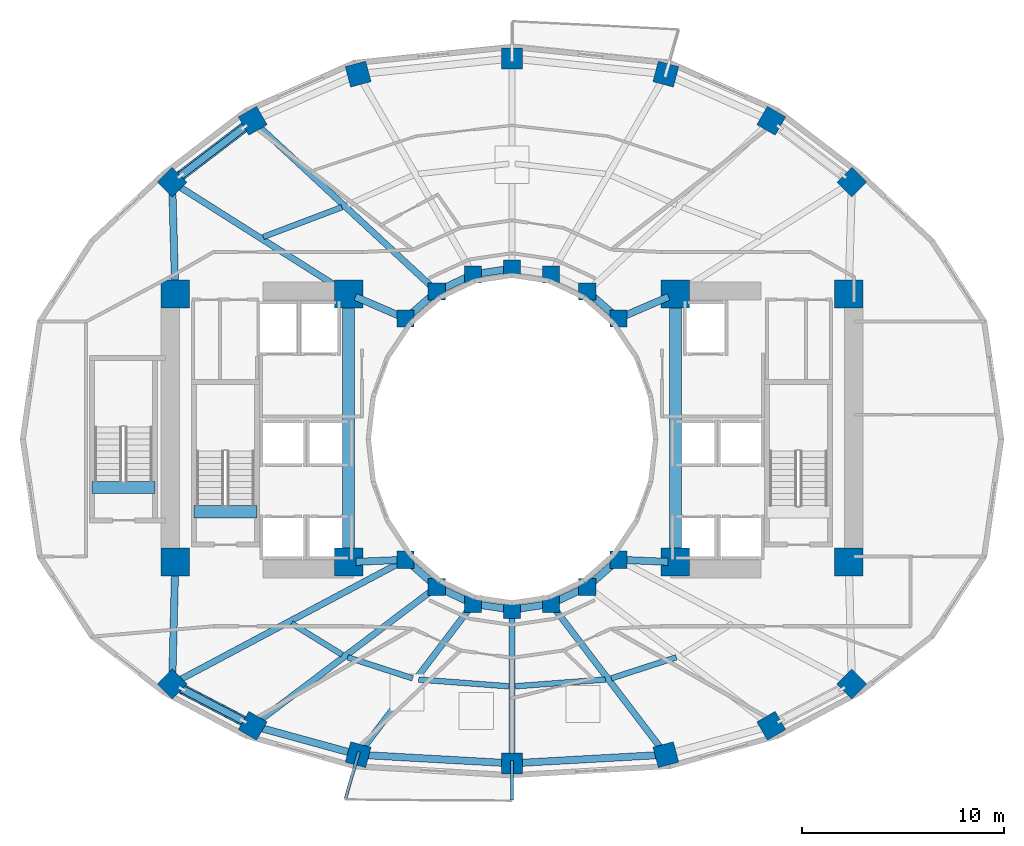
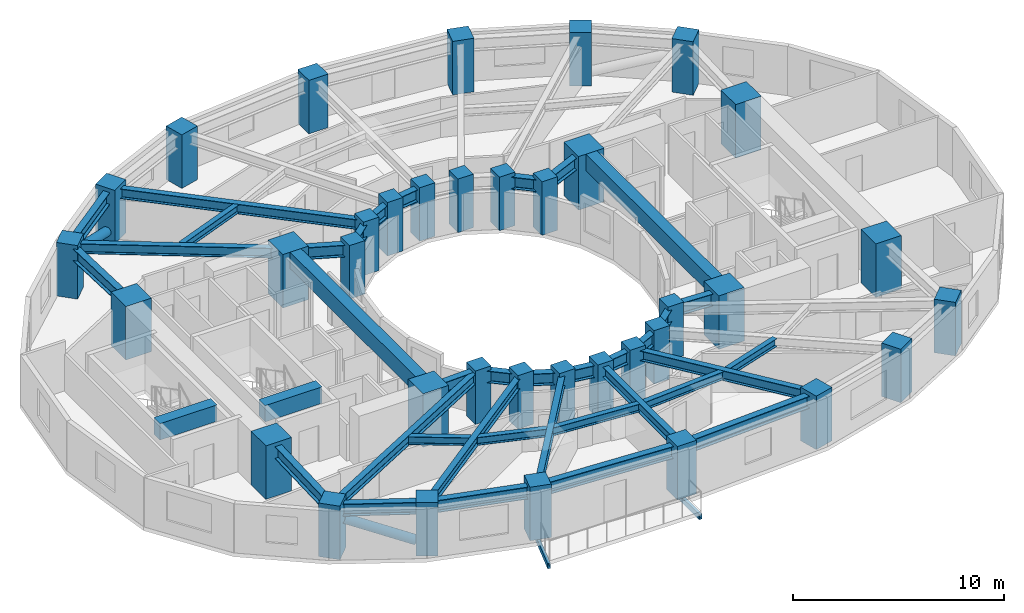
# One storey, part 1 of 9: 40 beams, 36 columns, 2 members.
"""IFC4 building model written with IfcOpenShell, lengths in metres."""

from ifc_helpers import new_model, si_unit, direction, frame, origin, origin_2d, place, context, subcontext, project, spatial, rectangle, hollow_rectangle, hollow_circle, i_section, extrude, material, material_profile, profile_set, type_object, element, save


model = new_model("IFC4")

# Units and contexts
model_context = context("Model", 3, precision=1e-05, world=origin(), true_north=direction((0.0, 1.0)))
body_context = subcontext(model_context, "Body", "Model", "MODEL_VIEW")
ifc_project = project(units=[si_unit("LENGTHUNIT", "METRE"), si_unit("AREAUNIT", "SQUARE_METRE"), si_unit("VOLUMEUNIT", "CUBIC_METRE"), si_unit("PLANEANGLEUNIT", "RADIAN"), si_unit("MASSUNIT", "GRAM", prefix="KILO")], contexts=[model_context])

# Site, building, storey
site_placement = place(None, origin())
site = spatial("IfcSite", under=ifc_project, at=site_placement, CompositionType="ELEMENT")
building_placement = place(site_placement, origin())
building = spatial("IfcBuilding", under=site, at=building_placement, Name="Solvane Sanctuary Tower", CompositionType="ELEMENT")
storey_placement = place(building_placement, frame((0.0, 0.0, 79.39990234375)))
storey = spatial("IfcBuildingStorey", under=building, at=storey_placement, Name="L23", CompositionType="ELEMENT", Elevation=79.39990234375)

# Columns
ifc_material_1 = material(Name="Concrete C70/85", Category="concrete")
ifc_material_profile_1 = material_profile(ifc_material_1, rectangle(XDim=1.39990234375, YDim=1.39990234375, at=origin_2d()), Name="RC1400X1400")
ifc_profile_set_1 = profile_set([ifc_material_profile_1], Name="Concrete C70/85")
column_type_1 = type_object("IfcColumnType", Name="Column C-POD-INT RC1400X1400", PredefinedType="COLUMN", material=ifc_profile_set_1)
for number, where, z_axis, x_axis, name in (
    (1, (15.300048828125, 16.89990234375, 0.0), (0.0, 0.0, 1.0), (1.0, 0.0, 0.0), "L23 Core Corner Column CW1"),
    (2, (23.89990234375, 16.89990234375, 0.0), (0.0, 0.0, 1.0), (1.0, 0.0, 0.0), "L23 Core Corner Column CW2"),
    (3, (23.89990234375, 30.199951171875, 0.0), (0.0, 0.0, 1.0), (1.0, 0.0, 0.0), "L23 Core Corner Column CW3"),
    (4, (15.300048828125, 30.199951171875, 0.0), (0.0, 0.0, 1.0), (1.0, 0.0, 0.0), "L23 Core Corner Column CW4"),
    (5, (40.10009765625, 16.89990234375, 0.0), (0.0, 0.0, 1.0), (1.0, 0.0, 0.0), "L23 Core Corner Column CE1"),
    (6, (48.699951171875, 16.89990234375, 0.0), (0.0, 0.0, 1.0), (1.0, 0.0, 0.0), "L23 Core Corner Column CE2"),
    (7, (48.699951171875, 30.199951171875, 0.0), (0.0, 0.0, 1.0), (1.0, 0.0, 0.0), "L23 Core Corner Column CE3"),
    (8, (40.10009765625, 30.199951171875, 0.0), (0.0, 0.0, 1.0), (1.0, 0.0, 0.0), "L23 Core Corner Column CE4"),
):
    element("IfcColumn", number, at=place(storey_placement, frame(where, z_axis=z_axis, x_axis=x_axis)), inside=storey, type_object=column_type_1, Name=name, PredefinedType="COLUMN", context=body_context, shape_type="SweptSolid", body=[
        extrude(rectangle(XDim=1.39990234375, YDim=1.39990234375, at=origin_2d()), origin(), (0.0, 0.0, 1.0), 3.10009765625),
    ])
ifc_material_2 = material(Name="Concrete C60/75", Category="concrete")
ifc_material_profile_2 = material_profile(ifc_material_2, rectangle(XDim=0.85009765625, YDim=0.85009765625, at=origin_2d()), Name="RC850X850")
ifc_profile_set_2 = profile_set([ifc_material_profile_2], Name="Concrete C60/75")
column_type_2 = type_object("IfcColumnType", Name="Column C-RING-Z2 RC850X850", PredefinedType="COLUMN", material=ifc_profile_set_2)
for number, where, z_axis, x_axis, name in (
    (9, (37.27490234375, 28.982177734375, 0.0), (0.0, 0.0, 1.0), (1.0, 0.0, 0.0), "L23 Inner Light-Well Ring Column IC01"),
    (10, (35.72998046875, 30.32666015625, 0.0), (0.0, 0.0, 1.0), (1.0, 0.0, 0.0), "L23 Inner Light-Well Ring Column IC02"),
    (11, (33.930908203125, 31.171630859375, 0.0), (0.0, 0.0, 1.0), (1.0, 0.0, 0.0), "L23 Inner Light-Well Ring Column IC03"),
    (12, (32.0, 31.4599609375, 0.0), (0.0, 0.0, 1.0), (1.0, 0.0, 0.0), "L23 Inner Light-Well Ring Column IC04"),
    (13, (30.069091796875, 31.171630859375, 0.0), (0.0, 0.0, 1.0), (1.0, 0.0, 0.0), "L23 Inner Light-Well Ring Column IC05"),
    (14, (28.27001953125, 30.32666015625, 0.0), (0.0, 0.0, 1.0), (1.0, 0.0, 0.0), "L23 Inner Light-Well Ring Column IC06"),
    (15, (26.72509765625, 28.982177734375, 0.0), (0.0, 0.0, 1.0), (1.0, 0.0, 0.0), "L23 Inner Light-Well Ring Column IC07"),
    (16, (26.72509765625, 17.017822265625, 0.0), (0.0, 0.0, 1.0), (1.0, 0.0, 0.0), "L23 Inner Light-Well Ring Column IC08"),
    (17, (28.27001953125, 15.67333984375, 0.0), (0.0, 0.0, 1.0), (1.0, 0.0, 0.0), "L23 Inner Light-Well Ring Column IC09"),
    (18, (30.069091796875, 14.828369140625, 0.0), (0.0, 0.0, 1.0), (1.0, 0.0, 0.0), "L23 Inner Light-Well Ring Column IC10"),
    (19, (32.0, 14.5400390625, 0.0), (0.0, 0.0, 1.0), (1.0, 0.0, 0.0), "L23 Inner Light-Well Ring Column IC11"),
    (20, (33.930908203125, 14.828369140625, 0.0), (0.0, 0.0, 1.0), (1.0, 0.0, 0.0), "L23 Inner Light-Well Ring Column IC12"),
    (21, (35.72998046875, 15.67333984375, 0.0), (0.0, 0.0, 1.0), (1.0, 0.0, 0.0), "L23 Inner Light-Well Ring Column IC13"),
    (22, (37.27490234375, 17.017822265625, 0.0), (0.0, 0.0, 1.0), (1.0, 0.0, 0.0), "L23 Inner Light-Well Ring Column IC14"),
):
    element("IfcColumn", number, at=place(storey_placement, frame(where, z_axis=z_axis, x_axis=x_axis)), inside=storey, type_object=column_type_2, Name=name, PredefinedType="COLUMN", context=body_context, shape_type="SweptSolid", body=[
        extrude(rectangle(XDim=0.85009765625, YDim=0.85009765625, at=origin_2d()), origin(), (0.0, 0.0, 1.0), 3.10009765625),
    ])
ifc_material_profile_3 = material_profile(ifc_material_2, rectangle(XDim=1.050048828125, YDim=1.050048828125, at=origin_2d()), Name="RC1050X1050")
ifc_profile_set_3 = profile_set([ifc_material_profile_3], Name="Concrete C60/75")
column_type_3 = type_object("IfcColumnType", Name="Column C-TUBE-Z2 RC1050X1050", PredefinedType="COLUMN", material=ifc_profile_set_3)
for number, where, z_axis, x_axis, name in (
    (23, (48.85302734375, 35.742919921875, 0.0), (0.0, 0.0, 1.0), (0.707106781187, 0.707106781187, 0.0), "L23 Perimeter Tube Column TC01"),
    (24, (44.8583984375, 38.7861328125, 0.0), (0.0, 0.0, 1.0), (0.5, 0.866025403784, 0.0), "L23 Perimeter Tube Column TC02"),
    (25, (39.62939453125, 41.10009765625, 0.0), (0.0, 0.0, 1.0), (0.258819045103, 0.965925826289, 0.0), "L23 Perimeter Tube Column TC03"),
    (26, (32.0, 41.8798828125, 0.0), (0.0, 0.0, 1.0), (0.0, 1.0, 0.0), "L23 Perimeter Tube Column TC04"),
    (27, (24.37060546875, 41.10009765625, 0.0), (0.0, 0.0, 1.0), (-0.258819045103, 0.965925826289, 0.0), "L23 Perimeter Tube Column TC05"),
    (28, (19.1416015625, 38.7861328125, 0.0), (0.0, 0.0, 1.0), (-0.5, 0.866025403784, 0.0), "L23 Perimeter Tube Column TC06"),
    (29, (15.14697265625, 35.742919921875, 0.0), (0.0, 0.0, 1.0), (-0.707106781187, 0.707106781187, 0.0), "L23 Perimeter Tube Column TC07"),
    (30, (15.14697265625, 10.86181640625, 0.0), (0.0, 0.0, 1.0), (-0.707106781187, -0.707106781187, 0.0), "L23 Perimeter Tube Column TC08"),
    (31, (19.1416015625, 8.782470703125, 0.0), (0.0, 0.0, 1.0), (-0.5, -0.866025403784, 0.0), "L23 Perimeter Tube Column TC09"),
    (32, (24.37060546875, 7.347900390625, 0.0), (0.0, 0.0, 1.0), (-0.258819045103, -0.965925826289, 0.0), "L23 Perimeter Tube Column TC10"),
    (33, (32.0, 6.919921875, 0.0), (0.0, 0.0, 1.0), (0.0, -1.0, 0.0), "L23 Perimeter Tube Column TC11"),
    (34, (39.62939453125, 7.347900390625, 0.0), (0.0, 0.0, 1.0), (0.258819045103, -0.965925826289, 0.0), "L23 Perimeter Tube Column TC12"),
    (35, (44.8583984375, 8.782470703125, 0.0), (0.0, 0.0, 1.0), (0.5, -0.866025403784, 0.0), "L23 Perimeter Tube Column TC13"),
    (36, (48.85302734375, 10.86181640625, 0.0), (0.0, 0.0, 1.0), (0.707106781187, -0.707106781187, 0.0), "L23 Perimeter Tube Column TC14"),
):
    element("IfcColumn", number, at=place(storey_placement, frame(where, z_axis=z_axis, x_axis=x_axis)), inside=storey, type_object=column_type_3, Name=name, PredefinedType="COLUMN", context=body_context, shape_type="SweptSolid", body=[
        extrude(rectangle(XDim=1.050048828125, YDim=1.050048828125, at=origin_2d()), origin(), (0.0, 0.0, 1.0), 3.10009765625),
    ])

# Beams
ifc_material_3 = material(Name="Steel ASTM A500 Grade C", Category="steel")
ifc_material_profile_4 = material_profile(ifc_material_3, hollow_rectangle(XDim=0.14990234375, YDim=0.300048828125, WallThickness=0.010009765625, at=origin_2d()), Name="HSS300X150X10")
ifc_profile_set_4 = profile_set([ifc_material_profile_4], Name="Steel ASTM A500 Grade C")
beam_type_1 = type_object("IfcBeamType", Name="Beam B-BALC-BRK HSS300X150X10", PredefinedType="BEAM", material=ifc_profile_set_4)
beam_1_placement = place(storey_placement, frame((24.412109375, 7.491943359375, -0.371826171875), z_axis=(-0.27680346203, -0.960926554638, 0.0), x_axis=(0.960926554638, -0.27680346203, 0.0)))
element("IfcBeam", 37, at=beam_1_placement, inside=storey, type_object=beam_type_1, Name="L23 Balcony Bracket SC-1", PredefinedType="BEAM", context=body_context, shape_type="SweptSolid", body=[
    extrude(hollow_rectangle(XDim=0.14990234375, YDim=0.300048828125, WallThickness=0.010009765625, at=origin_2d()), origin(), (0.0, 0.0, 1.0), 2.414794921875),
])
beam_2_placement = place(storey_placement, frame((32.0, 7.070068359375, -0.371826171875), z_axis=(0.0, -1.0, 0.0), x_axis=(1.0, 0.0, 0.0)))
element("IfcBeam", 38, at=beam_2_placement, inside=storey, type_object=beam_type_1, Name="L23 Balcony Bracket SC-2", PredefinedType="BEAM", context=body_context, shape_type="SweptSolid", body=[
    extrude(hollow_rectangle(XDim=0.14990234375, YDim=0.300048828125, WallThickness=0.010009765625, at=origin_2d()), origin(), (0.0, 0.0, 1.0), 1.95556640625),
])
ifc_material_profile_5 = material_profile(ifc_material_1, rectangle(XDim=0.60009765625, YDim=0.949951171875, at=origin_2d()), Name="RC600X950")
ifc_profile_set_5 = profile_set([ifc_material_profile_5], Name="Concrete C70/85")
beam_type_2 = type_object("IfcBeamType", Name="Beam B-COUPLE RC600X950", PredefinedType="LINTEL", material=ifc_profile_set_5)
for number, where, z_axis, x_axis, name in (
    (39, (23.89990234375, 17.35009765625, 2.625), (0.0, 1.0, 0.0), (-1.0, 0.0, 0.0), "L23 West Core Coupling Lintel"),
    (40, (40.10009765625, 17.35009765625, 2.625), (0.0, 1.0, 0.0), (-1.0, 0.0, 0.0), "L23 East Core Coupling Lintel"),
):
    element("IfcBeam", number, at=place(storey_placement, frame(where, z_axis=z_axis, x_axis=x_axis)), inside=storey, type_object=beam_type_2, Name=name, PredefinedType="LINTEL", context=body_context, shape_type="SweptSolid", body=[
        extrude(rectangle(XDim=0.60009765625, YDim=0.949951171875, at=origin_2d()), origin(), (0.0, 0.0, 1.0), 12.39990234375),
    ])
for number, where, z_axis, x_axis, name in (
    (41, (16.22998046875, 19.399169921875, 2.625), (1.0, 0.0, 0.0), (0.0, 1.0, 0.0), "L23 ST-1 Stair Floor Landing Trimmer"),
    (42, (11.169921875, 20.59912109375, 2.625), (1.0, 0.0, 0.0), (0.0, 1.0, 0.0), "L23 ST-3 Stair Floor Landing Trimmer"),
):
    element("IfcBeam", number, at=place(storey_placement, frame(where, z_axis=z_axis, x_axis=x_axis)), inside=storey, type_object=beam_type_2, Name=name, PredefinedType="LINTEL", context=body_context, shape_type="SweptSolid", body=[
        extrude(rectangle(XDim=0.60009765625, YDim=0.949951171875, at=origin_2d()), origin(), (0.0, 0.0, 1.0), 3.1201171875),
    ])
ifc_material_4 = material(Name="Steel ASTM A992 Grade 50", Category="steel")
ifc_material_profile_6 = material_profile(ifc_material_4, i_section(OverallWidth=0.31494140625, OverallDepth=0.575927734375, WebThickness=0.01513671875, FlangeThickness=0.0244140625, FilletRadius=0.014892578125, at=origin_2d()), Name="W21X122")
ifc_profile_set_6 = profile_set([ifc_material_profile_6], Name="Steel ASTM A992 Grade 50")
beam_type_3 = type_object("IfcBeamType", Name="Beam B-RAD-Z2 W21X122", PredefinedType="BEAM", material=ifc_profile_set_6)
beam_3_placement = place(storey_placement, frame((28.064697265625, 30.516845703125, 2.590087890625), z_axis=(-0.733453775248, 0.679739332078, 0.0), x_axis=(-0.679739332078, -0.733453775248, 0.0)))
element("IfcBeam", 43, at=beam_3_placement, inside=storey, type_object=beam_type_3, Name="L23 Radial Composite Floor Beam 06", PredefinedType="BEAM", context=body_context, shape_type="SweptSolid", body=[
    extrude(i_section(OverallWidth=0.31494140625, OverallDepth=0.575927734375, WebThickness=0.01513671875, FlangeThickness=0.0244140625, FilletRadius=0.014892578125, at=origin_2d()), origin(), (0.0, 0.0, 1.0), 11.885498046875),
])
beam_4_placement = place(storey_placement, frame((23.595947265625, 30.392578125, 2.590087890625), z_axis=(-0.844853889678, 0.534997107558, 0.0), x_axis=(-0.534997107558, -0.844853889678, 0.0)))
element("IfcBeam", 44, at=beam_4_placement, inside=storey, type_object=beam_type_3, Name="L23 Radial Composite Floor Beam 07", PredefinedType="BEAM", context=body_context, shape_type="SweptSolid", body=[
    extrude(i_section(OverallWidth=0.31494140625, OverallDepth=0.575927734375, WebThickness=0.01513671875, FlangeThickness=0.0244140625, FilletRadius=0.014892578125, at=origin_2d()), origin(), (0.0, 0.0, 1.0), 9.720458984375),
])
beam_5_placement = place(storey_placement, frame((26.477783203125, 16.886474609375, 2.590087890625), z_axis=(-0.882951984843, -0.469463302572, 0.0), x_axis=(0.469463302572, -0.882951984843, 0.0)))
element("IfcBeam", 45, at=beam_5_placement, inside=storey, type_object=beam_type_3, Name="L23 Radial Composite Floor Beam 08", PredefinedType="BEAM", context=body_context, shape_type="SweptSolid", body=[
    extrude(i_section(OverallWidth=0.31494140625, OverallDepth=0.575927734375, WebThickness=0.01513671875, FlangeThickness=0.0244140625, FilletRadius=0.014892578125, at=origin_2d()), origin(), (0.0, 0.0, 1.0), 12.552734375),
])
beam_6_placement = place(storey_placement, frame((28.04638671875, 15.504638671875, 2.590087890625), z_axis=(-0.798116040134, -0.602503764703, 0.0), x_axis=(0.602503764703, -0.798116040134, 0.0)))
element("IfcBeam", 46, at=beam_6_placement, inside=storey, type_object=beam_type_3, Name="L23 Radial Composite Floor Beam 09", PredefinedType="BEAM", context=body_context, shape_type="SweptSolid", body=[
    extrude(i_section(OverallWidth=0.31494140625, OverallDepth=0.575927734375, WebThickness=0.01513671875, FlangeThickness=0.0244140625, FilletRadius=0.014892578125, at=origin_2d()), origin(), (0.0, 0.0, 1.0), 10.876953125),
])
beam_7_placement = place(storey_placement, frame((29.8994140625, 14.605712890625, 2.590087890625), z_axis=(-0.605972515369, -0.795485581653, 0.0), x_axis=(0.795485581653, -0.605972515369, 0.0)))
element("IfcBeam", 47, at=beam_7_placement, inside=storey, type_object=beam_type_3, Name="L23 Radial Composite Floor Beam 10", PredefinedType="BEAM", context=body_context, shape_type="SweptSolid", body=[
    extrude(i_section(OverallWidth=0.31494140625, OverallDepth=0.575927734375, WebThickness=0.01513671875, FlangeThickness=0.0244140625, FilletRadius=0.014892578125, at=origin_2d()), origin(), (0.0, 0.0, 1.0), 8.84375),
])
beam_8_placement = place(storey_placement, frame((32.0, 14.260009765625, 2.590087890625), z_axis=(0.0, -1.0, 0.0), x_axis=(1.0, 0.0, 0.0)))
element("IfcBeam", 48, at=beam_8_placement, inside=storey, type_object=beam_type_3, Name="L23 Radial Composite Floor Beam 11", PredefinedType="BEAM", context=body_context, shape_type="SweptSolid", body=[
    extrude(i_section(OverallWidth=0.31494140625, OverallDepth=0.575927734375, WebThickness=0.01513671875, FlangeThickness=0.0244140625, FilletRadius=0.014892578125, at=origin_2d()), origin(), (0.0, 0.0, 1.0), 7.06005859375),
])
beam_9_placement = place(storey_placement, frame((34.1005859375, 14.605712890625, 2.590087890625), z_axis=(0.605972515369, -0.795485581653, 0.0), x_axis=(0.795485581653, 0.605972515369, 0.0)))
element("IfcBeam", 49, at=beam_9_placement, inside=storey, type_object=beam_type_3, Name="L23 Radial Composite Floor Beam 12", PredefinedType="BEAM", context=body_context, shape_type="SweptSolid", body=[
    extrude(i_section(OverallWidth=0.31494140625, OverallDepth=0.575927734375, WebThickness=0.01513671875, FlangeThickness=0.0244140625, FilletRadius=0.014892578125, at=origin_2d()), origin(), (0.0, 0.0, 1.0), 8.84375),
])
ifc_material_profile_7 = material_profile(ifc_material_4, i_section(OverallWidth=0.35498046875, OverallDepth=0.695068359375, WebThickness=0.015380859375, FlangeThickness=0.02490234375, FilletRadius=0.01806640625, at=origin_2d()), Name="W27X146")
ifc_profile_set_7 = profile_set([ifc_material_profile_7], Name="Steel ASTM A992 Grade 50")
beam_type_4 = type_object("IfcBeamType", Name="Beam B-RING-IN1 W27X146", PredefinedType="BEAM", material=ifc_profile_set_7)
beam_10_placement = place(storey_placement, frame((24.230712890625, 30.0576171875, 2.530517578125), z_axis=(0.918261456479, -0.3959746173, 0.0), x_axis=(0.3959746173, 0.918261456479, 0.0)))
element("IfcBeam", 50, at=beam_10_placement, inside=storey, type_object=beam_type_4, Name="L23 Inner Light-Well Ring Beam CW3-IC07", PredefinedType="BEAM", context=body_context, shape_type="SweptSolid", body=[
    extrude(i_section(OverallWidth=0.35498046875, OverallDepth=0.695068359375, WebThickness=0.015380859375, FlangeThickness=0.02490234375, FilletRadius=0.01806640625, at=origin_2d()), origin(), (0.0, 0.0, 1.0), 2.3212890625),
])
beam_11_placement = place(storey_placement, frame((27.02294921875, 29.241455078125, 2.530517578125), z_axis=(0.754317177099, 0.656510164684, 0.0), x_axis=(-0.656510164684, 0.754317177099, 0.0)))
element("IfcBeam", 51, at=beam_11_placement, inside=storey, type_object=beam_type_4, Name="L23 Inner Light-Well Ring Beam IC07-IC06", PredefinedType="BEAM", context=body_context, shape_type="SweptSolid", body=[
    extrude(i_section(OverallWidth=0.35498046875, OverallDepth=0.695068359375, WebThickness=0.015380859375, FlangeThickness=0.02490234375, FilletRadius=0.01806640625, at=origin_2d()), origin(), (0.0, 0.0, 1.0), 1.258056640625),
])
beam_12_placement = place(storey_placement, frame((28.62744140625, 30.494384765625, 2.530517578125), z_axis=(0.905044882818, 0.425316070804, 0.0), x_axis=(-0.425316070804, 0.905044882818, 0.0)))
element("IfcBeam", 52, at=beam_12_placement, inside=storey, type_object=beam_type_4, Name="L23 Inner Light-Well Ring Beam IC06-IC05", PredefinedType="BEAM", context=body_context, shape_type="SweptSolid", body=[
    extrude(i_section(OverallWidth=0.35498046875, OverallDepth=0.695068359375, WebThickness=0.015380859375, FlangeThickness=0.02490234375, FilletRadius=0.01806640625, at=origin_2d()), origin(), (0.0, 0.0, 1.0), 1.197998046875),
])
beam_13_placement = place(storey_placement, frame((30.4599609375, 31.22998046875, 2.530517578125), z_axis=(0.989034751611, 0.147682971619, 0.0), x_axis=(-0.147682971619, 0.989034751611, 0.0)))
element("IfcBeam", 53, at=beam_13_placement, inside=storey, type_object=beam_type_4, Name="L23 Inner Light-Well Ring Beam IC05-IC04", PredefinedType="BEAM", context=body_context, shape_type="SweptSolid", body=[
    extrude(i_section(OverallWidth=0.35498046875, OverallDepth=0.695068359375, WebThickness=0.015380859375, FlangeThickness=0.02490234375, FilletRadius=0.01806640625, at=origin_2d()), origin(), (0.0, 0.0, 1.0), 1.162109375),
])
beam_14_placement = place(storey_placement, frame((36.028076171875, 30.0673828125, 2.530517578125), z_axis=(0.754317177099, -0.656510164684, 0.0), x_axis=(0.656510164684, 0.754317177099, 0.0)))
element("IfcBeam", 54, at=beam_14_placement, inside=storey, type_object=beam_type_4, Name="L23 Inner Light-Well Ring Beam IC02-IC01", PredefinedType="BEAM", context=body_context, shape_type="SweptSolid", body=[
    extrude(i_section(OverallWidth=0.35498046875, OverallDepth=0.695068359375, WebThickness=0.015380859375, FlangeThickness=0.02490234375, FilletRadius=0.01806640625, at=origin_2d()), origin(), (0.0, 0.0, 1.0), 1.258056640625),
])
beam_15_placement = place(storey_placement, frame((37.6376953125, 29.138427734375, 2.530517578125), z_axis=(0.918261456479, 0.3959746173, 0.0), x_axis=(-0.3959746173, 0.918261456479, 0.0)))
element("IfcBeam", 55, at=beam_15_placement, inside=storey, type_object=beam_type_4, Name="L23 Inner Light-Well Ring Beam IC01-CE4", PredefinedType="BEAM", context=body_context, shape_type="SweptSolid", body=[
    extrude(i_section(OverallWidth=0.35498046875, OverallDepth=0.695068359375, WebThickness=0.015380859375, FlangeThickness=0.02490234375, FilletRadius=0.01806640625, at=origin_2d()), origin(), (0.0, 0.0, 1.0), 2.3212890625),
])
beam_16_placement = place(storey_placement, frame((24.259765625, 16.9150390625, 2.530517578125), z_axis=(0.999130007788, 0.041704047018, 0.0), x_axis=(-0.041704047018, 0.999130007788, 0.0)))
element("IfcBeam", 56, at=beam_16_placement, inside=storey, type_object=beam_type_4, Name="L23 Inner Light-Well Ring Beam CW2-IC08", PredefinedType="BEAM", context=body_context, shape_type="SweptSolid", body=[
    extrude(i_section(OverallWidth=0.35498046875, OverallDepth=0.695068359375, WebThickness=0.015380859375, FlangeThickness=0.02490234375, FilletRadius=0.01806640625, at=origin_2d()), origin(), (0.0, 0.0, 1.0), 2.072265625),
])
beam_17_placement = place(storey_placement, frame((27.02294921875, 16.758544921875, 2.530517578125), z_axis=(0.754317177099, -0.656510164684, 0.0), x_axis=(0.656510164684, 0.754317177099, 0.0)))
element("IfcBeam", 57, at=beam_17_placement, inside=storey, type_object=beam_type_4, Name="L23 Inner Light-Well Ring Beam IC08-IC09", PredefinedType="BEAM", context=body_context, shape_type="SweptSolid", body=[
    extrude(i_section(OverallWidth=0.35498046875, OverallDepth=0.695068359375, WebThickness=0.015380859375, FlangeThickness=0.02490234375, FilletRadius=0.01806640625, at=origin_2d()), origin(), (0.0, 0.0, 1.0), 1.258056640625),
])
beam_18_placement = place(storey_placement, frame((28.62744140625, 15.505615234375, 2.530517578125), z_axis=(0.905044882818, -0.425316070804, 0.0), x_axis=(0.425316070804, 0.905044882818, 0.0)))
element("IfcBeam", 58, at=beam_18_placement, inside=storey, type_object=beam_type_4, Name="L23 Inner Light-Well Ring Beam IC09-IC10", PredefinedType="BEAM", context=body_context, shape_type="SweptSolid", body=[
    extrude(i_section(OverallWidth=0.35498046875, OverallDepth=0.695068359375, WebThickness=0.015380859375, FlangeThickness=0.02490234375, FilletRadius=0.01806640625, at=origin_2d()), origin(), (0.0, 0.0, 1.0), 1.197998046875),
])
for number, where, z_axis, x_axis, name in (
    (59, (30.4599609375, 14.77001953125, 2.530517578125), (0.989034751611, -0.147682971619, 0.0), (0.147682971619, 0.989034751611, 0.0), "L23 Inner Light-Well Ring Beam IC10-IC11"),
    (60, (32.390625, 14.598388671875, 2.530517578125), (0.989034751611, 0.147682971619, 0.0), (-0.147682971619, 0.989034751611, 0.0), "L23 Inner Light-Well Ring Beam IC11-IC12"),
):
    element("IfcBeam", number, at=place(storey_placement, frame(where, z_axis=z_axis, x_axis=x_axis)), inside=storey, type_object=beam_type_4, Name=name, PredefinedType="BEAM", context=body_context, shape_type="SweptSolid", body=[
        extrude(i_section(OverallWidth=0.35498046875, OverallDepth=0.695068359375, WebThickness=0.015380859375, FlangeThickness=0.02490234375, FilletRadius=0.01806640625, at=origin_2d()), origin(), (0.0, 0.0, 1.0), 1.162109375),
    ])
beam_19_placement = place(storey_placement, frame((34.288330078125, 14.99609375, 2.530517578125), z_axis=(0.905044882818, 0.425316070804, 0.0), x_axis=(-0.425316070804, 0.905044882818, 0.0)))
element("IfcBeam", 61, at=beam_19_placement, inside=storey, type_object=beam_type_4, Name="L23 Inner Light-Well Ring Beam IC12-IC13", PredefinedType="BEAM", context=body_context, shape_type="SweptSolid", body=[
    extrude(i_section(OverallWidth=0.35498046875, OverallDepth=0.695068359375, WebThickness=0.015380859375, FlangeThickness=0.02490234375, FilletRadius=0.01806640625, at=origin_2d()), origin(), (0.0, 0.0, 1.0), 1.197998046875),
])
beam_20_placement = place(storey_placement, frame((36.028076171875, 15.9326171875, 2.530517578125), z_axis=(0.754317177099, 0.656510164684, 0.0), x_axis=(-0.656510164684, 0.754317177099, 0.0)))
element("IfcBeam", 62, at=beam_20_placement, inside=storey, type_object=beam_type_4, Name="L23 Inner Light-Well Ring Beam IC13-IC14", PredefinedType="BEAM", context=body_context, shape_type="SweptSolid", body=[
    extrude(i_section(OverallWidth=0.35498046875, OverallDepth=0.695068359375, WebThickness=0.015380859375, FlangeThickness=0.02490234375, FilletRadius=0.01806640625, at=origin_2d()), origin(), (0.0, 0.0, 1.0), 1.258056640625),
])
beam_21_placement = place(storey_placement, frame((37.669677734375, 17.00146484375, 2.530517578125), z_axis=(0.999130007788, -0.041704047018, 0.0), x_axis=(0.041704047018, 0.999130007788, 0.0)))
element("IfcBeam", 63, at=beam_21_placement, inside=storey, type_object=beam_type_4, Name="L23 Inner Light-Well Ring Beam IC14-CE1", PredefinedType="BEAM", context=body_context, shape_type="SweptSolid", body=[
    extrude(i_section(OverallWidth=0.35498046875, OverallDepth=0.695068359375, WebThickness=0.015380859375, FlangeThickness=0.02490234375, FilletRadius=0.01806640625, at=origin_2d()), origin(), (0.0, 0.0, 1.0), 2.072265625),
])
ifc_material_profile_8 = material_profile(ifc_material_4, i_section(OverallWidth=0.280029296875, OverallDepth=0.462890625, WebThickness=0.0107421875, FlangeThickness=0.017333984375, FilletRadius=0.013916015625, at=origin_2d()), Name="W18X76")
ifc_profile_set_8 = profile_set([ifc_material_profile_8], Name="Steel ASTM A992 Grade 50")
beam_type_5 = type_object("IfcBeamType", Name="Beam B-SEC-JOIST W18X76", PredefinedType="JOIST", material=ifc_profile_set_8)
beam_22_placement = place(storey_placement, frame((19.666015625, 33.025390625, 2.646484375), z_axis=(0.93509327646, 0.354401699091, 0.0), x_axis=(-0.354401699091, 0.93509327646, 0.0)))
element("IfcBeam", 64, at=beam_22_placement, inside=storey, type_object=beam_type_5, Name="L23 Secondary Circumferential Joist 07-06", PredefinedType="JOIST", context=body_context, shape_type="SweptSolid", body=[
    extrude(i_section(OverallWidth=0.280029296875, OverallDepth=0.462890625, WebThickness=0.0107421875, FlangeThickness=0.017333984375, FilletRadius=0.013916015625, at=origin_2d()), origin(), (0.0, 0.0, 1.0), 4.167724609375),
])
beam_23_placement = place(storey_placement, frame((21.065673828125, 13.859619140625, 2.646484375), z_axis=(0.85065981691, -0.525716535687, 0.0), x_axis=(0.525716535687, 0.85065981691, 0.0)))
element("IfcBeam", 65, at=beam_23_placement, inside=storey, type_object=beam_type_5, Name="L23 Secondary Circumferential Joist 08-09", PredefinedType="JOIST", context=body_context, shape_type="SweptSolid", body=[
    extrude(i_section(OverallWidth=0.280029296875, OverallDepth=0.462890625, WebThickness=0.0107421875, FlangeThickness=0.017333984375, FilletRadius=0.013916015625, at=origin_2d()), origin(), (0.0, 0.0, 1.0), 2.951171875),
])
beam_24_placement = place(storey_placement, frame((23.850830078125, 12.180908203125, 2.646484375), z_axis=(0.951216534175, -0.308524075416, 0.0), x_axis=(0.308524075416, 0.951216534175, 0.0)))
element("IfcBeam", 66, at=beam_24_placement, inside=storey, type_object=beam_type_5, Name="L23 Secondary Circumferential Joist 09-10", PredefinedType="JOIST", context=body_context, shape_type="SweptSolid", body=[
    extrude(i_section(OverallWidth=0.280029296875, OverallDepth=0.462890625, WebThickness=0.0107421875, FlangeThickness=0.017333984375, FilletRadius=0.013916015625, at=origin_2d()), origin(), (0.0, 0.0, 1.0), 3.38916015625),
])
for number, where, z_axis, x_axis, name in (
    (67, (27.3720703125, 11.07666015625, 2.646484375), (0.997207316227, -0.074683120339, 0.0), (0.074683120339, 0.997207316227, 0.0), "L23 Secondary Circumferential Joist 10-11"),
    (68, (32.152099609375, 10.741455078125, 2.646484375), (0.997207316227, 0.074683120339, 0.0), (-0.074683120339, 0.997207316227, 0.0), "L23 Secondary Circumferential Joist 11-12"),
):
    element("IfcBeam", number, at=place(storey_placement, frame(where, z_axis=z_axis, x_axis=x_axis)), inside=storey, type_object=beam_type_5, Name=name, PredefinedType="JOIST", context=body_context, shape_type="SweptSolid", body=[
        extrude(i_section(OverallWidth=0.280029296875, OverallDepth=0.462890625, WebThickness=0.0107421875, FlangeThickness=0.017333984375, FilletRadius=0.013916015625, at=origin_2d()), origin(), (0.0, 0.0, 1.0), 4.48828125),
    ])
beam_25_placement = place(storey_placement, frame((36.92529296875, 11.13525390625, 2.646484375), z_axis=(0.951216534175, 0.308524075416, 0.0), x_axis=(-0.308524075416, 0.951216534175, 0.0)))
element("IfcBeam", 69, at=beam_25_placement, inside=storey, type_object=beam_type_5, Name="L23 Secondary Circumferential Joist 12-13", PredefinedType="JOIST", context=body_context, shape_type="SweptSolid", body=[
    extrude(i_section(OverallWidth=0.280029296875, OverallDepth=0.462890625, WebThickness=0.0107421875, FlangeThickness=0.017333984375, FilletRadius=0.013916015625, at=origin_2d()), origin(), (0.0, 0.0, 1.0), 3.38916015625),
])
ifc_material_profile_9 = material_profile(ifc_material_4, i_section(OverallWidth=0.35791015625, OverallDepth=0.7060546875, WebThickness=0.018310546875, FlangeThickness=0.0302734375, FilletRadius=0.01806640625, at=origin_2d()), Name="W27X178")
ifc_profile_set_9 = profile_set([ifc_material_profile_9], Name="Steel ASTM A992 Grade 50")
beam_type_6 = type_object("IfcBeamType", Name="Beam B-SPAND-Z2 W27X178", PredefinedType="SPANDREL", material=ifc_profile_set_9)
beam_26_placement = place(storey_placement, frame((15.292236328125, 30.47998046875, 2.525146484375), z_axis=(-0.027574028772, 0.999619764179, 0.0), x_axis=(-0.999619764179, -0.027574028772, 0.0)))
element("IfcBeam", 70, at=beam_26_placement, inside=storey, type_object=beam_type_6, Name="L23 Perimeter Spandrel Beam CW4-TC07", PredefinedType="SPANDREL", context=body_context, shape_type="SweptSolid", body=[
    extrude(i_section(OverallWidth=0.35791015625, OverallDepth=0.7060546875, WebThickness=0.018310546875, FlangeThickness=0.0302734375, FilletRadius=0.01806640625, at=origin_2d()), origin(), (0.0, 0.0, 1.0), 4.98486328125),
])
beam_27_placement = place(storey_placement, frame((15.36962890625, 35.91259765625, 2.525146484375), z_axis=(0.795473167932, 0.605988811036, 0.0), x_axis=(-0.605988811036, 0.795473167932, 0.0)))
element("IfcBeam", 71, at=beam_27_placement, inside=storey, type_object=beam_type_6, Name="L23 Perimeter Spandrel Beam TC07-TC06", PredefinedType="SPANDREL", context=body_context, shape_type="SweptSolid", body=[
    extrude(i_section(OverallWidth=0.35791015625, OverallDepth=0.7060546875, WebThickness=0.018310546875, FlangeThickness=0.0302734375, FilletRadius=0.01806640625, at=origin_2d()), origin(), (0.0, 0.0, 1.0), 4.4619140625),
])
beam_28_placement = place(storey_placement, frame((15.29296875, 16.6201171875, 2.525146484375), z_axis=(-0.025349487585, -0.999678650107, 0.0), x_axis=(0.999678650107, -0.025349487585, 0.0)))
element("IfcBeam", 72, at=beam_28_placement, inside=storey, type_object=beam_type_6, Name="L23 Perimeter Spandrel Beam CW1-TC08", PredefinedType="SPANDREL", context=body_context, shape_type="SweptSolid", body=[
    extrude(i_section(OverallWidth=0.35791015625, OverallDepth=0.7060546875, WebThickness=0.018310546875, FlangeThickness=0.0302734375, FilletRadius=0.01806640625, at=origin_2d()), origin(), (0.0, 0.0, 1.0), 5.47998046875),
])
beam_29_placement = place(storey_placement, frame((15.3955078125, 10.732666015625, 2.525146484375), z_axis=(0.887014995188, -0.461740618002, 0.0), x_axis=(0.461740618002, 0.887014995188, 0.0)))
element("IfcBeam", 73, at=beam_29_placement, inside=storey, type_object=beam_type_6, Name="L23 Perimeter Spandrel Beam TC08-TC09", PredefinedType="SPANDREL", context=body_context, shape_type="SweptSolid", body=[
    extrude(i_section(OverallWidth=0.35791015625, OverallDepth=0.7060546875, WebThickness=0.018310546875, FlangeThickness=0.0302734375, FilletRadius=0.01806640625, at=origin_2d()), origin(), (0.0, 0.0, 1.0), 3.943359375),
])
beam_30_placement = place(storey_placement, frame((19.41162109375, 8.70849609375, 2.525146484375), z_axis=(0.964367605241, -0.26456591232, 0.0), x_axis=(0.26456591232, 0.964367605241, 0.0)))
element("IfcBeam", 74, at=beam_30_placement, inside=storey, type_object=beam_type_6, Name="L23 Perimeter Spandrel Beam TC09-TC10", PredefinedType="SPANDREL", context=body_context, shape_type="SweptSolid", body=[
    extrude(i_section(OverallWidth=0.35791015625, OverallDepth=0.7060546875, WebThickness=0.018310546875, FlangeThickness=0.0302734375, FilletRadius=0.01806640625, at=origin_2d()), origin(), (0.0, 0.0, 1.0), 4.8623046875),
])
for number, where, z_axis, x_axis, name in (
    (75, (24.650146484375, 7.332275390625, 2.525146484375), (0.998431364179, -0.055989383129, 0.0), (0.055989383129, 0.998431364179, 0.0), "L23 Perimeter Spandrel Beam TC10-TC11"),
    (76, (32.279541015625, 6.935791015625, 2.525146484375), (0.998431364179, 0.055989383129, 0.0), (-0.055989383129, 0.998431364179, 0.0), "L23 Perimeter Spandrel Beam TC11-TC12"),
):
    element("IfcBeam", number, at=place(storey_placement, frame(where, z_axis=z_axis, x_axis=x_axis)), inside=storey, type_object=beam_type_6, Name=name, PredefinedType="SPANDREL", context=body_context, shape_type="SweptSolid", body=[
        extrude(i_section(OverallWidth=0.35791015625, OverallDepth=0.7060546875, WebThickness=0.018310546875, FlangeThickness=0.0302734375, FilletRadius=0.01806640625, at=origin_2d()), origin(), (0.0, 0.0, 1.0), 7.081298828125),
    ])

# Members
ifc_material_profile_10 = material_profile(ifc_material_4, hollow_circle(Radius=0.25390625, WallThickness=0.01611328125, at=origin_2d()), Name="CHS508X16")
ifc_profile_set_10 = profile_set([ifc_material_profile_10], Name="Steel ASTM A992 Grade 50")
member_type = type_object("IfcMemberType", Name="Member M-TUBE-Z2 CHS508X16", PredefinedType="BRACE", material=ifc_profile_set_10)
member_1_placement = place(storey_placement, frame((18.713134765625, 38.459716796875, 0.572265625), z_axis=(-0.749170118041, -0.570768517947, 0.336106282529), x_axis=(0.606024564443, -0.795445929836, 0.0)))
element("IfcMember", 77, at=member_1_placement, inside=storey, type_object=member_type, Name="L23 Perimeter Braced-Tube Diagonal NW", PredefinedType="BRACE", context=body_context, shape_type="SweptSolid", body=[
    extrude(hollow_circle(Radius=0.25390625, WallThickness=0.01611328125, at=origin_2d()), origin(), (0.0, 0.0, 1.0), 4.1875),
])
member_2_placement = place(storey_placement, frame((18.667236328125, 9.029296875, 0.593017578125), z_axis=(-0.824140553465, 0.429072126665, 0.369715374651), x_axis=(-0.461792399626, -0.886988038052, 0.0)))
element("IfcMember", 78, at=member_2_placement, inside=storey, type_object=member_type, Name="L23 Perimeter Braced-Tube Diagonal SW", PredefinedType="BRACE", context=body_context, shape_type="SweptSolid", body=[
    extrude(hollow_circle(Radius=0.25390625, WallThickness=0.01611328125, at=origin_2d()), origin(), (0.0, 0.0, 1.0), 3.6689453125),
])

save(model, "model.ifc")
